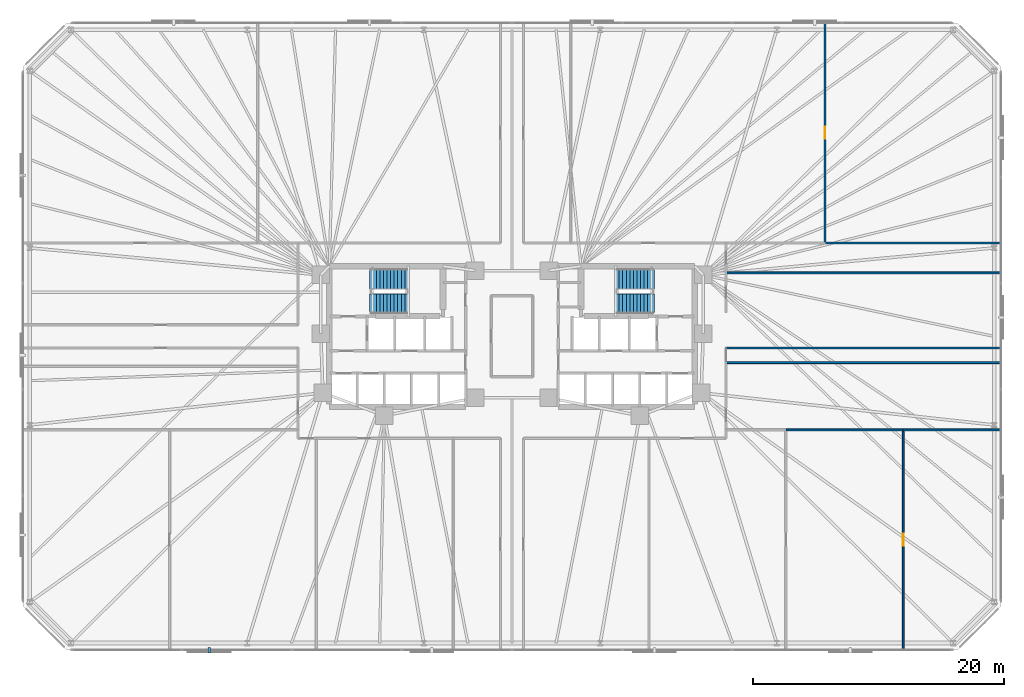
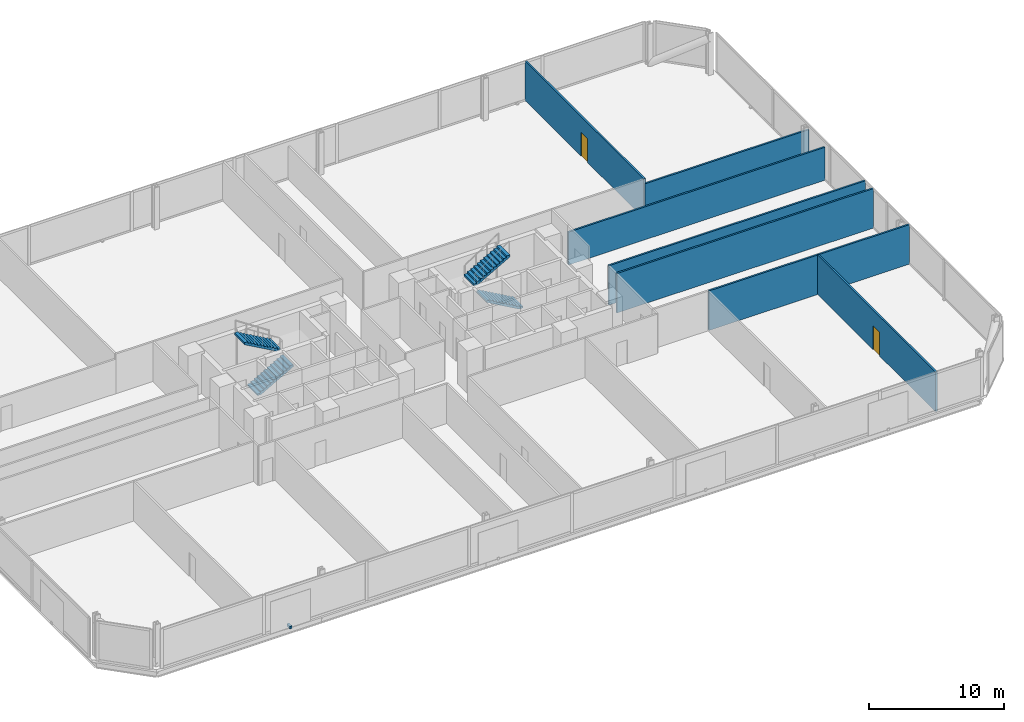
# One storey, part 15 of 17: 8 walls, 4 stair flights, 2 doors, 1 discrete accessory, 2 openings, 2 elements without a shape of their own.
"""IFC4 building model written with IfcOpenShell, lengths in metres."""

from ifc_helpers import new_model, si_unit, direction, frame, frame_2d, origin, origin_2d, place, context, subcontext, project, spatial, polyline, rectangle, outline, extrude, material, layer, layer_set, type_object, element, fill, aggregate, save


model = new_model("IFC4")

# Units and contexts
model_context = context("Model", 3, precision=1e-05, world=origin(), true_north=direction((0.0, 1.0)))
body_context = subcontext(model_context, "Body", "Model", "MODEL_VIEW")
ifc_project = project(units=[si_unit("LENGTHUNIT", "METRE"), si_unit("AREAUNIT", "SQUARE_METRE"), si_unit("VOLUMEUNIT", "CUBIC_METRE"), si_unit("PLANEANGLEUNIT", "RADIAN"), si_unit("MASSUNIT", "GRAM", prefix="KILO")], contexts=[model_context])

# Site, building, storey
site_placement = place(None, origin())
site = spatial("IfcSite", under=ifc_project, at=site_placement, CompositionType="ELEMENT")
building_placement = place(site_placement, origin())
building = spatial("IfcBuilding", under=site, at=building_placement, Name="Menara Jurai Vektor", CompositionType="ELEMENT")
storey_placement = place(building_placement, frame((0.0, 0.0, 56.0)))
storey = spatial("IfcBuildingStorey", under=building, at=storey_placement, Name="L13", CompositionType="ELEMENT", Elevation=56.0)

# Wall
ifc_material_1 = material(Name="Gypsum Fireboard Partition", Category="gypsum")
ifc_layer_1 = layer(ifc_material_1, 0.14990234375)
ifc_layer_set_1 = layer_set([ifc_layer_1], Name="Gypsum Fireboard Partition")
wall_type_1 = type_object("IfcWallType", Name="INT-WALL-CORR-150", PredefinedType="PARTITIONING", material=ifc_layer_set_1)
wall_1_placement = place(storey_placement, frame((17.05908203125, -0.919921875, 0.0), z_axis=(0.0, 0.0, 1.0), x_axis=(1.0, 0.0, 0.0)))
element("IfcWall", 1, at=wall_1_placement, inside=storey, type_object=wall_type_1, Name="Interior Wall IW-150 L13", PredefinedType="PARTITIONING", context=body_context, shape_type="SweptSolid", body=[
    extrude(rectangle(XDim=21.94091796875, YDim=0.14990234375, at=frame_2d((10.970458984375, 0.0))), origin(), (0.0, 0.0, 1.0), 3.574951171875),
])

# Wall, opening, door
wall_2_placement = place(storey_placement, frame((24.9599609375, 7.449951171875, 0.0), z_axis=(0.0, 0.0, 1.0), x_axis=(0.0, 1.0, 0.0)))
wall_2 = element("IfcWall", 2, at=wall_2_placement, inside=storey, type_object=wall_type_1, Name="Interior Wall IW-150 L13", PredefinedType="PARTITIONING", context=body_context, shape_type="SweptSolid", body=[
    extrude(rectangle(XDim=17.550048828125, YDim=0.14990234375, at=frame_2d((8.77490234375, 0.0))), origin(), (0.0, 0.0, 1.0), 3.574951171875),
])
opening_1_placement = place(wall_2_placement, frame((8.300048828125, 0.0, 0.0)))
opening_1 = element("IfcOpeningElement", 3, at=opening_1_placement, cuts=wall_2, Name="Opening D13-21", PredefinedType="OPENING", context=body_context, shape_type="SweptSolid", body=[
    extrude(rectangle(XDim=0.949951171875, YDim=2.14990234375, at=frame_2d((0.47509765625, 1.074951171875))), frame((0.0, 0.0849609375, 0.0), z_axis=(0.0, -1.0, 0.0), x_axis=(1.0, 0.0, 0.0)), (0.0, 0.0, 1.0), 0.169921875),
])
ifc_material_2 = material(Name="Solid Core Timber Fire Door", Category="wood")
door_type = type_object("IfcDoorType", Name="DR-ENTRY-950", OperationType="NOTDEFINED", PredefinedType="DOOR", material=ifc_material_2)
door_1_placement = place(opening_1_placement, origin())
door_1 = element("IfcDoor", 4, at=door_1_placement, inside=storey, type_object=door_type, Name="Interior Door D13-21", OperationType="SINGLE_SWING_RIGHT", OverallHeight=2.14990234375, OverallWidth=0.949951171875, PredefinedType="DOOR", context=body_context, shape_type="SweptSolid", body=[
    extrude(rectangle(XDim=0.949951171875, YDim=2.14990234375, at=frame_2d((0.47509765625, 1.074951171875))), frame((0.0, 0.02490234375, 0.0), z_axis=(0.0, -1.0, 0.0), x_axis=(1.0, 0.0, 0.0)), (0.0, 0.0, 1.0), 0.050048828125),
])
fill(opening_1, door_1)

wall_3_placement = place(storey_placement, frame((31.199951171875, -25.0, 0.0), z_axis=(0.0, 0.0, 1.0), x_axis=(0.0, 1.0, 0.0)))
wall_3 = element("IfcWall", 5, at=wall_3_placement, inside=storey, type_object=wall_type_1, Name="Interior Wall IW-150 L13", PredefinedType="PARTITIONING", context=body_context, shape_type="SweptSolid", body=[
    extrude(rectangle(XDim=17.550048828125, YDim=0.14990234375, at=frame_2d((8.77490234375, 0.0))), origin(), (0.0, 0.0, 1.0), 3.574951171875),
])
opening_2_placement = place(wall_3_placement, frame((8.300048828125, 0.0, 0.0)))
opening_2 = element("IfcOpeningElement", 6, at=opening_2_placement, cuts=wall_3, Name="Opening D13-24", PredefinedType="OPENING", context=body_context, shape_type="SweptSolid", body=[
    extrude(rectangle(XDim=0.949951171875, YDim=2.14990234375, at=frame_2d((0.47509765625, 1.074951171875))), frame((0.0, 0.0849609375, 0.0), z_axis=(0.0, -1.0, 0.0), x_axis=(1.0, 0.0, 0.0)), (0.0, 0.0, 1.0), 0.169921875),
])
door_2_placement = place(opening_2_placement, origin())
door_2 = element("IfcDoor", 7, at=door_2_placement, inside=storey, type_object=door_type, Name="Interior Door D13-24", OperationType="SINGLE_SWING_LEFT", OverallHeight=2.14990234375, OverallWidth=0.949951171875, PredefinedType="DOOR", context=body_context, shape_type="SweptSolid", body=[
    extrude(rectangle(XDim=0.949951171875, YDim=2.14990234375, at=frame_2d((0.47509765625, 1.074951171875))), frame((0.0, 0.02490234375, 0.0), z_axis=(0.0, -1.0, 0.0), x_axis=(1.0, 0.0, 0.0)), (0.0, 0.0, 1.0), 0.050048828125),
])
fill(opening_2, door_2)

# Walls
wall_4_placement = place(storey_placement, frame((21.840087890625, -7.449951171875, 0.0), z_axis=(0.0, 0.0, 1.0), x_axis=(1.0, 0.0, 0.0)))
element("IfcWall", 8, at=wall_4_placement, inside=storey, type_object=wall_type_1, Name="Interior Wall IW-150 L13", PredefinedType="PARTITIONING", context=body_context, shape_type="SweptSolid", body=[
    extrude(rectangle(XDim=9.35986328125, YDim=0.14990234375, at=frame_2d((4.679931640625, 0.0))), origin(), (0.0, 0.0, 1.0), 3.574951171875),
])
wall_5_placement = place(storey_placement, frame((31.199951171875, -7.449951171875, 0.0), z_axis=(0.0, 0.0, 1.0), x_axis=(1.0, 0.0, 0.0)))
element("IfcWall", 9, at=wall_5_placement, inside=storey, type_object=wall_type_1, Name="Interior Wall IW-150 L13", PredefinedType="PARTITIONING", context=body_context, shape_type="SweptSolid", body=[
    extrude(rectangle(XDim=7.800048828125, YDim=0.14990234375, at=frame_2d((3.89990234375, 0.0))), origin(), (0.0, 0.0, 1.0), 3.574951171875),
])
wall_6_placement = place(storey_placement, frame((17.05908203125, -2.0859375, 0.0), z_axis=(0.0, 0.0, 1.0), x_axis=(1.0, 0.0, 0.0)))
element("IfcWall", 10, at=wall_6_placement, inside=storey, type_object=wall_type_1, Name="Interior Wall IW-150 L13", PredefinedType="PARTITIONING", context=body_context, shape_type="SweptSolid", body=[
    extrude(rectangle(XDim=21.94091796875, YDim=0.14990234375, at=frame_2d((10.970458984375, 0.0))), origin(), (0.0, 0.0, 1.0), 3.574951171875),
])
ifc_layer_2 = layer(ifc_material_1, 0.14990234375)
ifc_layer_set_2 = layer_set([ifc_layer_2], Name="Gypsum Fireboard Partition")
wall_type_2 = type_object("IfcWallType", Name="INT-WALL-CORR-150-H1", PredefinedType="PARTITIONING", material=ifc_layer_set_2)
wall_7_placement = place(storey_placement, frame((24.9599609375, 7.449951171875, 0.0), z_axis=(0.0, 0.0, 1.0), x_axis=(1.0, 0.0, 0.0)))
element("IfcWall", 11, at=wall_7_placement, inside=storey, type_object=wall_type_2, Name="Interior Wall IW-150 L13", PredefinedType="PARTITIONING", context=body_context, shape_type="SweptSolid", body=[
    extrude(rectangle(XDim=14.0400390625, YDim=0.14990234375, at=frame_2d((7.02001953125, 0.0))), origin(), (0.0, 0.0, 1.0), 3.125),
])
ifc_layer_3 = layer(ifc_material_1, 0.14990234375)
ifc_layer_set_3 = layer_set([ifc_layer_3], Name="Gypsum Fireboard Partition")
wall_type_3 = type_object("IfcWallType", Name="INT-WALL-CORR-150-H2", PredefinedType="PARTITIONING", material=ifc_layer_set_3)
wall_8_placement = place(storey_placement, frame((17.05908203125, 5.06591796875, 0.0), z_axis=(0.0, 0.0, 1.0), x_axis=(1.0, 0.0, 0.0)))
element("IfcWall", 12, at=wall_8_placement, inside=storey, type_object=wall_type_3, Name="Interior Wall IW-150 L13", PredefinedType="PARTITIONING", context=body_context, shape_type="SweptSolid", body=[
    extrude(rectangle(XDim=21.94091796875, YDim=0.14990234375, at=frame_2d((10.970458984375, 0.0))), origin(), (0.0, 0.0, 1.0), 2.97509765625),
])

# Stair, stair flights
ifc_material_3 = material(Name="Concrete C40/50", Category="concrete")
stair_type = type_object("IfcStairType", Name="STAIR-DOGLEG-1500", PredefinedType="HALF_TURN_STAIR", material=ifc_material_3)
stair_1_placement = place(storey_placement, origin())
stair_1 = element("IfcStair", 13, at=stair_1_placement, inside=storey, type_object=stair_type, Name="Protected Exit Stair ST1 L13", PredefinedType="HALF_TURN_STAIR")
stair_flight_type = type_object("IfcStairFlightType", Name="STAIR-FLIGHT-1500", PredefinedType="STRAIGHT", material=ifc_material_3)
stair_flight_1_placement = place(storey_placement, frame((-11.35009765625, 2.64990234375, 0.0), z_axis=(0.0, 0.0, 1.0), x_axis=(1.0, 0.0, 0.0)))
stair_flight_1 = element("IfcStairFlight", 14, at=stair_flight_1_placement, type_object=stair_flight_type, Name="ST1 flight 1", NumberOfRisers=12, NumberOfTreads=11, PredefinedType="STRAIGHT", RiserHeight=0.158333, TreadLength=0.28, context=body_context, shape_type="SweptSolid", body=[
    extrude(outline(polyline([(0.0, 0.0), (0.0, 0.158447265625), (0.280029296875, 0.158447265625), (0.280029296875, 0.316650390625), (0.56005859375, 0.316650390625), (0.56005859375, 0.47509765625), (0.840087890625, 0.47509765625), (0.840087890625, 0.63330078125), (1.1201171875, 0.63330078125), (1.1201171875, 0.791748046875), (1.39990234375, 0.791748046875), (1.39990234375, 0.949951171875), (1.679931640625, 0.949951171875), (1.679931640625, 1.1083984375), (1.9599609375, 1.1083984375), (1.9599609375, 1.2666015625), (2.239990234375, 1.2666015625), (2.239990234375, 1.425048828125), (2.52001953125, 1.425048828125), (2.52001953125, 1.583251953125), (2.800048828125, 1.583251953125), (2.800048828125, 1.74169921875), (3.080078125, 1.74169921875), (3.080078125, 1.89990234375), (3.080078125, 1.557861328125), (0.324951171875, 0.0), (0.0, 0.0)])), frame((0.0, 0.75, 0.0), z_axis=(0.0, -1.0, 0.0), x_axis=(1.0, 0.0, 0.0)), (0.0, 0.0, 1.0), 1.5),
])
stair_flight_2_placement = place(storey_placement, frame((-8.27001953125, 4.550048828125, 1.89990234375), z_axis=(0.0, 0.0, 1.0), x_axis=(-1.0, 0.0, 0.0)))
stair_flight_2 = element("IfcStairFlight", 15, at=stair_flight_2_placement, type_object=stair_flight_type, Name="ST1 flight 2", NumberOfRisers=12, NumberOfTreads=11, PredefinedType="STRAIGHT", RiserHeight=0.158333, TreadLength=0.28, context=body_context, shape_type="SweptSolid", body=[
    extrude(outline(polyline([(0.0, 0.0), (0.0, 0.158447265625), (0.280029296875, 0.158447265625), (0.280029296875, 0.316650390625), (0.56005859375, 0.316650390625), (0.56005859375, 0.47509765625), (0.840087890625, 0.47509765625), (0.840087890625, 0.63330078125), (1.1201171875, 0.63330078125), (1.1201171875, 0.791748046875), (1.39990234375, 0.791748046875), (1.39990234375, 0.949951171875), (1.679931640625, 0.949951171875), (1.679931640625, 1.1083984375), (1.9599609375, 1.1083984375), (1.9599609375, 1.2666015625), (2.239990234375, 1.2666015625), (2.239990234375, 1.425048828125), (2.52001953125, 1.425048828125), (2.52001953125, 1.583251953125), (2.800048828125, 1.583251953125), (2.800048828125, 1.74169921875), (3.080078125, 1.74169921875), (3.080078125, 1.89990234375), (3.080078125, 1.557861328125), (0.324951171875, 0.0), (0.0, 0.0)])), frame((0.0, 0.75, 0.0), z_axis=(0.0, -1.0, 0.0), x_axis=(1.0, 0.0, 0.0)), (0.0, 0.0, 1.0), 1.5),
])
aggregate(stair_1, [stair_flight_1, stair_flight_2])

stair_2_placement = place(storey_placement, origin())
stair_2 = element("IfcStair", 16, at=stair_2_placement, inside=storey, type_object=stair_type, Name="Protected Exit Stair ST2 L13", PredefinedType="HALF_TURN_STAIR")
stair_flight_3_placement = place(storey_placement, frame((11.35009765625, 2.64990234375, 0.0), z_axis=(0.0, 0.0, 1.0), x_axis=(-1.0, 0.0, 0.0)))
stair_flight_3 = element("IfcStairFlight", 17, at=stair_flight_3_placement, type_object=stair_flight_type, Name="ST2 flight 1", NumberOfRisers=12, NumberOfTreads=11, PredefinedType="STRAIGHT", RiserHeight=0.158333, TreadLength=0.28, context=body_context, shape_type="SweptSolid", body=[
    extrude(outline(polyline([(0.0, 0.0), (0.0, 0.158447265625), (0.280029296875, 0.158447265625), (0.280029296875, 0.316650390625), (0.56005859375, 0.316650390625), (0.56005859375, 0.47509765625), (0.840087890625, 0.47509765625), (0.840087890625, 0.63330078125), (1.1201171875, 0.63330078125), (1.1201171875, 0.791748046875), (1.39990234375, 0.791748046875), (1.39990234375, 0.949951171875), (1.679931640625, 0.949951171875), (1.679931640625, 1.1083984375), (1.9599609375, 1.1083984375), (1.9599609375, 1.2666015625), (2.239990234375, 1.2666015625), (2.239990234375, 1.425048828125), (2.52001953125, 1.425048828125), (2.52001953125, 1.583251953125), (2.800048828125, 1.583251953125), (2.800048828125, 1.74169921875), (3.080078125, 1.74169921875), (3.080078125, 1.89990234375), (3.080078125, 1.557861328125), (0.324951171875, 0.0), (0.0, 0.0)])), frame((0.0, 0.75, 0.0), z_axis=(0.0, -1.0, 0.0), x_axis=(1.0, 0.0, 0.0)), (0.0, 0.0, 1.0), 1.5),
])
stair_flight_4_placement = place(storey_placement, frame((8.27001953125, 4.550048828125, 1.89990234375), z_axis=(0.0, 0.0, 1.0), x_axis=(1.0, 0.0, 0.0)))
stair_flight_4 = element("IfcStairFlight", 18, at=stair_flight_4_placement, type_object=stair_flight_type, Name="ST2 flight 2", NumberOfRisers=12, NumberOfTreads=11, PredefinedType="STRAIGHT", RiserHeight=0.158333, TreadLength=0.28, context=body_context, shape_type="SweptSolid", body=[
    extrude(outline(polyline([(0.0, 0.0), (0.0, 0.158447265625), (0.280029296875, 0.158447265625), (0.280029296875, 0.316650390625), (0.56005859375, 0.316650390625), (0.56005859375, 0.47509765625), (0.840087890625, 0.47509765625), (0.840087890625, 0.63330078125), (1.1201171875, 0.63330078125), (1.1201171875, 0.791748046875), (1.39990234375, 0.791748046875), (1.39990234375, 0.949951171875), (1.679931640625, 0.949951171875), (1.679931640625, 1.1083984375), (1.9599609375, 1.1083984375), (1.9599609375, 1.2666015625), (2.239990234375, 1.2666015625), (2.239990234375, 1.425048828125), (2.52001953125, 1.425048828125), (2.52001953125, 1.583251953125), (2.800048828125, 1.583251953125), (2.800048828125, 1.74169921875), (3.080078125, 1.74169921875), (3.080078125, 1.89990234375), (3.080078125, 1.557861328125), (0.324951171875, 0.0), (0.0, 0.0)])), frame((0.0, 0.75, 0.0), z_axis=(0.0, -1.0, 0.0), x_axis=(1.0, 0.0, 0.0)), (0.0, 0.0, 1.0), 1.5),
])
aggregate(stair_2, [stair_flight_3, stair_flight_4])

# Discrete accessory
ifc_material_4 = material(Name="Steel S355", Category="steel")
discrete_accessory_type = type_object("IfcDiscreteAccessoryType", Name="ENV-ACC-BRACKET", PredefinedType="BRACKET", material=ifc_material_4)
discrete_accessory_placement = place(storey_placement, frame((-24.139892578125, -25.010009765625, -0.1298828125), z_axis=(0.0, 0.0, 1.0), x_axis=(1.0, 0.0, 0.0)))
element("IfcDiscreteAccessory", 19, at=discrete_accessory_placement, inside=storey, type_object=discrete_accessory_type, Name="Solar Screen Stand-Off Bracket L13-S01", PredefinedType="BRACKET", context=body_context, shape_type="SweptSolid", body=[
    extrude(rectangle(XDim=0.179931640625, YDim=0.43994140625, at=origin_2d()), origin(), (0.0, 0.0, 1.0), 0.219970703125),
])

save(model, "model.ifc")
